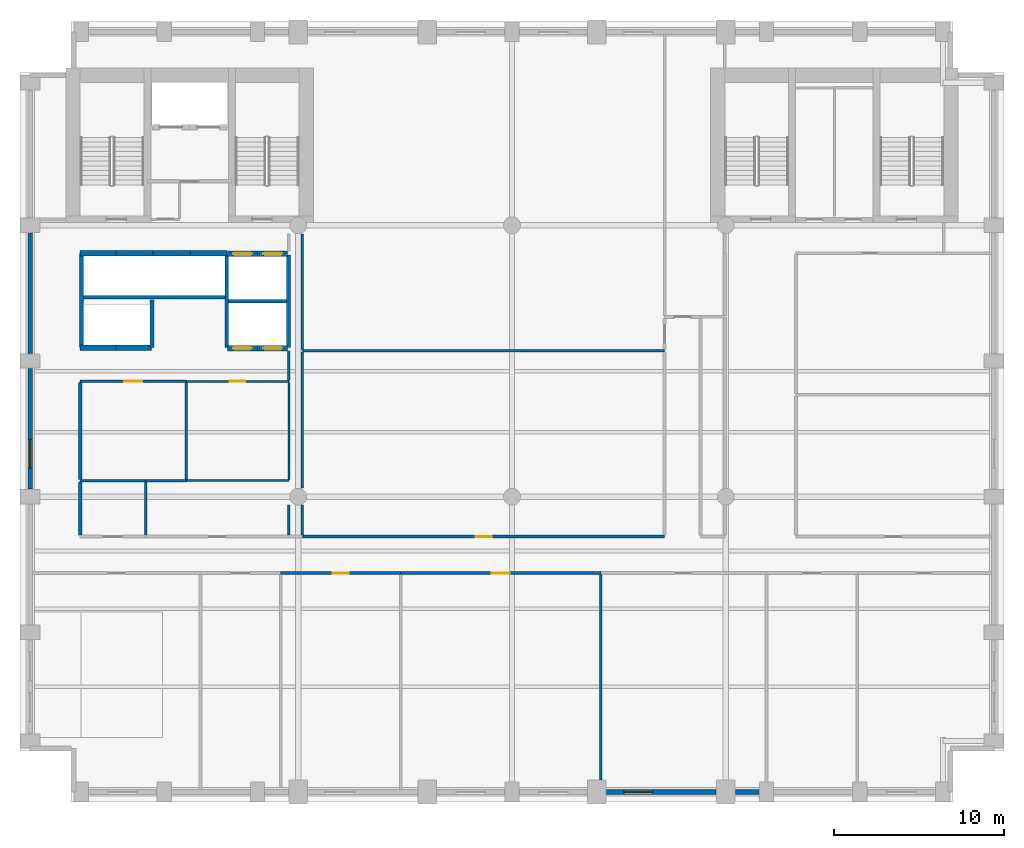
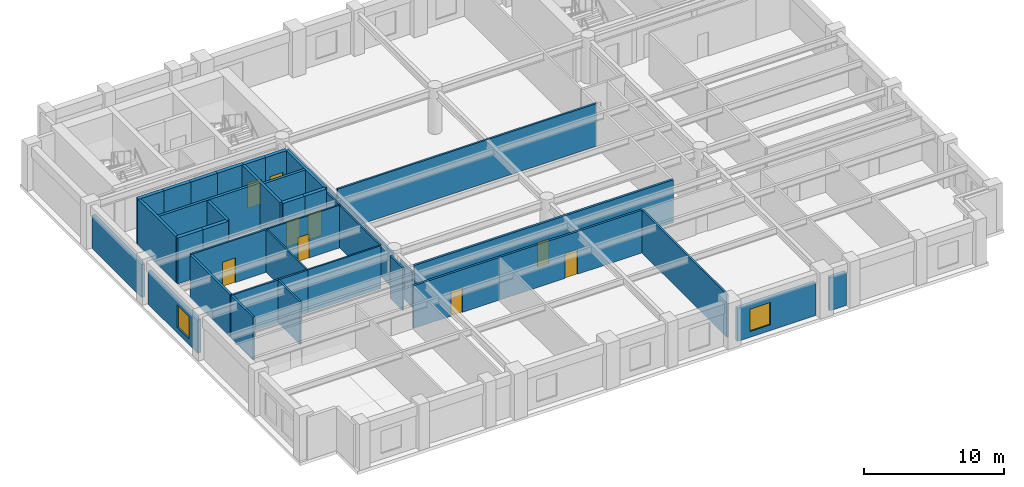
# One storey, part 3 of 9: 40 walls, 9 doors, 2 windows, 11 openings.
"""IFC4 building model written with IfcOpenShell, lengths in metres."""

from ifc_helpers import new_model, si_unit, direction, frame, frame_2d, origin, place, context, subcontext, project, spatial, rectangle, extrude, material, layer, layer_set, type_object, element, fill, save


model = new_model("IFC4")

# Units and contexts
model_context = context("Model", 3, precision=1e-05, world=origin(), true_north=direction((0.0, 1.0)))
body_context = subcontext(model_context, "Body", "Model", "MODEL_VIEW")
ifc_project = project(units=[si_unit("LENGTHUNIT", "METRE"), si_unit("AREAUNIT", "SQUARE_METRE"), si_unit("VOLUMEUNIT", "CUBIC_METRE"), si_unit("PLANEANGLEUNIT", "RADIAN"), si_unit("MASSUNIT", "GRAM", prefix="KILO")], contexts=[model_context])

# Site, building, storey
site_placement = place(None, origin())
site = spatial("IfcSite", under=ifc_project, at=site_placement, CompositionType="ELEMENT")
building_placement = place(site_placement, origin())
building = spatial("IfcBuilding", under=site, at=building_placement, Name="Sulina Concourse Tower", CompositionType="ELEMENT")
storey_placement = place(building_placement, frame((0.0, 0.0, 120.60009765625)))
storey = spatial("IfcBuildingStorey", under=building, at=storey_placement, Name="L29", CompositionType="ELEMENT", Elevation=120.60009765625)

# Walls
ifc_material_1 = material(Name="Concrete C50/60", Category="concrete")
ifc_layer_1 = layer(ifc_material_1, 0.219970703125)
ifc_layer_set_1 = layer_set([ifc_layer_1], Name="Concrete C50/60")
wall_type_1 = type_object("IfcWallType", Name="Core Lift Hoistway Divider Wall 220mm", PredefinedType="SOLIDWALL", material=ifc_layer_set_1)
wall_1_placement = place(storey_placement, frame((3.550048828125, 29.75, 0.0), z_axis=(0.0, 0.0, 1.0), x_axis=(1.0, 0.0, 0.0)))
element("IfcWall", 1, at=wall_1_placement, inside=storey, type_object=wall_type_1, Name="L29 shaft divider wall HW-LP3-S", PredefinedType="SOLIDWALL", context=body_context, shape_type="SweptSolid", body=[
    extrude(rectangle(XDim=8.64990234375, YDim=0.219970703125, at=frame_2d((4.324951171875, 0.0))), origin(), (0.0, 0.0, 1.0), 4.0),
])
wall_2_placement = place(storey_placement, frame((3.6298828125, 26.800048828125, 0.0), z_axis=(0.0, 0.0, 1.0), x_axis=(0.0, 1.0, 0.0)))
element("IfcWall", 2, at=wall_2_placement, inside=storey, type_object=wall_type_1, Name="L29 shaft divider wall HW-LP3-W", PredefinedType="SOLIDWALL", context=body_context, shape_type="SweptSolid", body=[
    extrude(rectangle(XDim=5.550048828125, YDim=0.219970703125, at=frame_2d((2.77490234375, 0.0))), origin(), (0.0, 0.0, 1.0), 4.0),
])
wall_3_placement = place(storey_placement, frame((7.780029296875, 26.800048828125, 0.0), z_axis=(0.0, 0.0, 1.0), x_axis=(0.0, 1.0, 0.0)))
element("IfcWall", 3, at=wall_3_placement, inside=storey, type_object=wall_type_1, Name="L29 shaft divider wall HW-EXP-E", PredefinedType="SOLIDWALL", context=body_context, shape_type="SweptSolid", body=[
    extrude(rectangle(XDim=2.800048828125, YDim=0.219970703125, at=frame_2d((1.39990234375, 0.0))), origin(), (0.0, 0.0, 1.0), 4.0),
])
for number, where, z_axis, x_axis, name in (
    (4, (12.179931640625, 26.800048828125, 0.0), (0.0, 0.0, 1.0), (0.0, 1.0, 0.0), "L29 shaft divider wall HW-LP2-W"),
    (5, (15.820068359375, 26.800048828125, 0.0), (0.0, 0.0, 1.0), (0.0, 1.0, 0.0), "L29 shaft divider wall HW-LP2-E"),
):
    element("IfcWall", number, at=place(storey_placement, frame(where, z_axis=z_axis, x_axis=x_axis)), inside=storey, type_object=wall_type_1, Name=name, PredefinedType="SOLIDWALL", context=body_context, shape_type="SweptSolid", body=[
        extrude(rectangle(XDim=5.449951171875, YDim=0.219970703125, at=frame_2d((2.72509765625, 0.0))), origin(), (0.0, 0.0, 1.0), 4.0),
    ])
wall_4_placement = place(storey_placement, frame((12.300048828125, 29.52001953125, 0.0), z_axis=(0.0, 0.0, 1.0), x_axis=(1.0, 0.0, 0.0)))
element("IfcWall", 6, at=wall_4_placement, inside=storey, type_object=wall_type_1, Name="L29 shaft divider wall HW-LP2-M", PredefinedType="SOLIDWALL", context=body_context, shape_type="SweptSolid", body=[
    extrude(rectangle(XDim=3.39990234375, YDim=0.219970703125, at=frame_2d((1.699951171875, 0.0))), origin(), (0.0, 0.0, 1.0), 4.0),
])

# Wall, opening, door
ifc_material_2 = material(Name="Concrete C50/60", Category="concrete")
ifc_layer_2 = layer(ifc_material_2, 0.300048828125)
ifc_layer_set_2 = layer_set([ifc_layer_2], Name="Concrete C50/60")
wall_type_2 = type_object("IfcWallType", Name="Core Lift Hoistway Wall 300mm", PredefinedType="SOLIDWALL", material=ifc_layer_set_2)
wall_5_placement = place(storey_placement, frame((14.0, 26.75, 0.0), z_axis=(0.0, 0.0, 1.0), x_axis=(-1.0, 0.0, 0.0)))
wall_5 = element("IfcWall", 7, at=wall_5_placement, inside=storey, type_object=wall_type_2, Name="L29 hoistway enclosure wall LP-05", PredefinedType="SOLIDWALL", context=body_context, shape_type="SweptSolid", body=[
    extrude(rectangle(XDim=1.780029296875, YDim=0.300048828125, at=frame_2d((0.89013671875, 0.0))), origin(), (0.0, 0.0, 1.0), 4.0),
])
opening_1_placement = place(wall_5_placement, frame((0.340087890625, 0.0, 0.0)))
opening_1 = element("IfcOpeningElement", 8, at=opening_1_placement, cuts=wall_5, Name="Opening LD-01", PredefinedType="OPENING", context=body_context, shape_type="SweptSolid", body=[
    extrude(rectangle(XDim=1.10009765625, YDim=2.199951171875, at=frame_2d((0.550048828125, 1.10009765625))), frame((0.0, 0.159912109375, 0.0), z_axis=(0.0, -1.0, 0.0), x_axis=(1.0, 0.0, 0.0)), (0.0, 0.0, 1.0), 0.320068359375),
])
ifc_material_3 = material(Name="Stainless steel lift landing door", Category="steel")
ifc_layer_3 = layer(ifc_material_3, 0.050048828125)
ifc_layer_set_3 = layer_set([ifc_layer_3], Name="Stainless steel lift landing door")
door_type_1 = type_object("IfcDoorType", Name="Passenger Lift Sliding Landing Door 1100x2200", OperationType="SLIDING_TO_LEFT", PredefinedType="DOOR", material=ifc_layer_set_3)
door_1_placement = place(opening_1_placement, origin())
door_1 = element("IfcDoor", 9, at=door_1_placement, inside=storey, type_object=door_type_1, Name="L29 lift landing sliding door LP-05", OperationType="SLIDING_TO_LEFT", OverallHeight=2.199951171875, OverallWidth=1.10009765625, PredefinedType="DOOR", context=body_context, shape_type="SweptSolid", body=[
    extrude(rectangle(XDim=1.10009765625, YDim=2.199951171875, at=frame_2d((0.550048828125, 1.10009765625))), frame((0.0, 0.02490234375, 0.0), z_axis=(0.0, -1.0, 0.0), x_axis=(1.0, 0.0, 0.0)), (0.0, 0.0, 1.0), 0.050048828125),
])
fill(opening_1, door_1)

wall_6_placement = place(storey_placement, frame((15.780029296875, 26.75, 0.0), z_axis=(0.0, 0.0, 1.0), x_axis=(-1.0, 0.0, 0.0)))
wall_6 = element("IfcWall", 10, at=wall_6_placement, inside=storey, type_object=wall_type_2, Name="L29 hoistway enclosure wall LP-06", PredefinedType="SOLIDWALL", context=body_context, shape_type="SweptSolid", body=[
    extrude(rectangle(XDim=1.780029296875, YDim=0.300048828125, at=frame_2d((0.89013671875, 0.0))), origin(), (0.0, 0.0, 1.0), 4.0),
])
opening_2_placement = place(wall_6_placement, frame((0.340087890625, 0.0, 0.0)))
opening_2 = element("IfcOpeningElement", 11, at=opening_2_placement, cuts=wall_6, Name="Opening LD-01", PredefinedType="OPENING", context=body_context, shape_type="SweptSolid", body=[
    extrude(rectangle(XDim=1.10009765625, YDim=2.199951171875, at=frame_2d((0.550048828125, 1.10009765625))), frame((0.0, 0.159912109375, 0.0), z_axis=(0.0, -1.0, 0.0), x_axis=(1.0, 0.0, 0.0)), (0.0, 0.0, 1.0), 0.320068359375),
])
door_2_placement = place(opening_2_placement, origin())
door_2 = element("IfcDoor", 12, at=door_2_placement, inside=storey, type_object=door_type_1, Name="L29 lift landing sliding door LP-06", OperationType="SLIDING_TO_RIGHT", OverallHeight=2.199951171875, OverallWidth=1.10009765625, PredefinedType="DOOR", context=body_context, shape_type="SweptSolid", body=[
    extrude(rectangle(XDim=1.10009765625, YDim=2.199951171875, at=frame_2d((0.550048828125, 1.10009765625))), frame((0.0, 0.02490234375, 0.0), z_axis=(0.0, -1.0, 0.0), x_axis=(1.0, 0.0, 0.0)), (0.0, 0.0, 1.0), 0.050048828125),
])
fill(opening_2, door_2)

wall_7_placement = place(storey_placement, frame((12.219970703125, 32.320068359375, 0.0), z_axis=(0.0, 0.0, 1.0), x_axis=(1.0, 0.0, 0.0)))
wall_7 = element("IfcWall", 13, at=wall_7_placement, inside=storey, type_object=wall_type_2, Name="L29 hoistway enclosure wall LP-07", PredefinedType="SOLIDWALL", context=body_context, shape_type="SweptSolid", body=[
    extrude(rectangle(XDim=1.780029296875, YDim=0.300048828125, at=frame_2d((0.89013671875, 0.0))), origin(), (0.0, 0.0, 1.0), 4.0),
])
opening_3_placement = place(wall_7_placement, frame((0.340087890625, 0.0, 0.0)))
opening_3 = element("IfcOpeningElement", 14, at=opening_3_placement, cuts=wall_7, Name="Opening LD-01", PredefinedType="OPENING", context=body_context, shape_type="SweptSolid", body=[
    extrude(rectangle(XDim=1.10009765625, YDim=2.199951171875, at=frame_2d((0.550048828125, 1.10009765625))), frame((0.0, 0.159912109375, 0.0), z_axis=(0.0, -1.0, 0.0), x_axis=(1.0, 0.0, 0.0)), (0.0, 0.0, 1.0), 0.320068359375),
])
door_3_placement = place(opening_3_placement, origin())
door_3 = element("IfcDoor", 15, at=door_3_placement, inside=storey, type_object=door_type_1, Name="L29 lift landing sliding door LP-07", OperationType="SLIDING_TO_LEFT", OverallHeight=2.199951171875, OverallWidth=1.10009765625, PredefinedType="DOOR", context=body_context, shape_type="SweptSolid", body=[
    extrude(rectangle(XDim=1.10009765625, YDim=2.199951171875, at=frame_2d((0.550048828125, 1.10009765625))), frame((0.0, 0.02490234375, 0.0), z_axis=(0.0, -1.0, 0.0), x_axis=(1.0, 0.0, 0.0)), (0.0, 0.0, 1.0), 0.050048828125),
])
fill(opening_3, door_3)

wall_8_placement = place(storey_placement, frame((14.0, 32.320068359375, 0.0), z_axis=(0.0, 0.0, 1.0), x_axis=(1.0, 0.0, 0.0)))
wall_8 = element("IfcWall", 16, at=wall_8_placement, inside=storey, type_object=wall_type_2, Name="L29 hoistway enclosure wall LP-08", PredefinedType="SOLIDWALL", context=body_context, shape_type="SweptSolid", body=[
    extrude(rectangle(XDim=1.780029296875, YDim=0.300048828125, at=frame_2d((0.89013671875, 0.0))), origin(), (0.0, 0.0, 1.0), 4.0),
])
opening_4_placement = place(wall_8_placement, frame((0.340087890625, 0.0, 0.0)))
opening_4 = element("IfcOpeningElement", 17, at=opening_4_placement, cuts=wall_8, Name="Opening LD-01", PredefinedType="OPENING", context=body_context, shape_type="SweptSolid", body=[
    extrude(rectangle(XDim=1.10009765625, YDim=2.199951171875, at=frame_2d((0.550048828125, 1.10009765625))), frame((0.0, 0.159912109375, 0.0), z_axis=(0.0, -1.0, 0.0), x_axis=(1.0, 0.0, 0.0)), (0.0, 0.0, 1.0), 0.320068359375),
])
door_4_placement = place(opening_4_placement, origin())
door_4 = element("IfcDoor", 18, at=door_4_placement, inside=storey, type_object=door_type_1, Name="L29 lift landing sliding door LP-08", OperationType="SLIDING_TO_RIGHT", OverallHeight=2.199951171875, OverallWidth=1.10009765625, PredefinedType="DOOR", context=body_context, shape_type="SweptSolid", body=[
    extrude(rectangle(XDim=1.10009765625, YDim=2.199951171875, at=frame_2d((0.550048828125, 1.10009765625))), frame((0.0, 0.02490234375, 0.0), z_axis=(0.0, -1.0, 0.0), x_axis=(1.0, 0.0, 0.0)), (0.0, 0.0, 1.0), 0.050048828125),
])
fill(opening_4, door_4)

# Walls
wall_9_placement = place(storey_placement, frame((3.550048828125, 32.35009765625, 0.0), z_axis=(0.0, 0.0, 1.0), x_axis=(1.0, 0.0, 0.0)))
element("IfcWall", 19, at=wall_9_placement, inside=storey, type_object=wall_type_2, Name="L29 hoistway enclosure wall LP-09", PredefinedType="SOLIDWALL", context=body_context, shape_type="SweptSolid", body=[
    extrude(rectangle(XDim=2.099853515625, YDim=0.300048828125, at=frame_2d((1.0498046875, 0.0))), origin(), (0.0, 0.0, 1.0), 4.0),
])
wall_10_placement = place(storey_placement, frame((5.64990234375, 32.35009765625, 0.0), z_axis=(0.0, 0.0, 1.0), x_axis=(1.0, 0.0, 0.0)))
element("IfcWall", 20, at=wall_10_placement, inside=storey, type_object=wall_type_2, Name="L29 hoistway enclosure wall LP-10", PredefinedType="SOLIDWALL", context=body_context, shape_type="SweptSolid", body=[
    extrude(rectangle(XDim=2.2001953125, YDim=0.300048828125, at=frame_2d((1.10009765625, 0.0))), origin(), (0.0, 0.0, 1.0), 4.0),
])
wall_11_placement = place(storey_placement, frame((7.85009765625, 32.35009765625, 0.0), z_axis=(0.0, 0.0, 1.0), x_axis=(1.0, 0.0, 0.0)))
element("IfcWall", 21, at=wall_11_placement, inside=storey, type_object=wall_type_2, Name="L29 hoistway enclosure wall LP-11", PredefinedType="SOLIDWALL", context=body_context, shape_type="SweptSolid", body=[
    extrude(rectangle(XDim=2.199951171875, YDim=0.300048828125, at=frame_2d((1.10009765625, 0.0))), origin(), (0.0, 0.0, 1.0), 4.0),
])
wall_12_placement = place(storey_placement, frame((10.050048828125, 32.35009765625, 0.0), z_axis=(0.0, 0.0, 1.0), x_axis=(1.0, 0.0, 0.0)))
element("IfcWall", 22, at=wall_12_placement, inside=storey, type_object=wall_type_2, Name="L29 hoistway enclosure wall LP-12", PredefinedType="SOLIDWALL", context=body_context, shape_type="SweptSolid", body=[
    extrude(rectangle(XDim=2.14990234375, YDim=0.300048828125, at=frame_2d((1.074951171875, 0.0))), origin(), (0.0, 0.0, 1.0), 4.0),
])
wall_13_placement = place(storey_placement, frame((5.64990234375, 26.780029296875, 0.0), z_axis=(0.0, 0.0, 1.0), x_axis=(-1.0, 0.0, 0.0)))
element("IfcWall", 23, at=wall_13_placement, inside=storey, type_object=wall_type_2, Name="L29 hoistway enclosure wall EXP-1", PredefinedType="SOLIDWALL", context=body_context, shape_type="SweptSolid", body=[
    extrude(rectangle(XDim=2.099853515625, YDim=0.300048828125, at=frame_2d((1.0498046875, 0.0))), origin(), (0.0, 0.0, 1.0), 4.0),
])
wall_14_placement = place(storey_placement, frame((7.75, 26.780029296875, 0.0), z_axis=(0.0, 0.0, 1.0), x_axis=(-1.0, 0.0, 0.0)))
element("IfcWall", 24, at=wall_14_placement, inside=storey, type_object=wall_type_2, Name="L29 hoistway enclosure wall EXP-2", PredefinedType="SOLIDWALL", context=body_context, shape_type="SweptSolid", body=[
    extrude(rectangle(XDim=2.10009765625, YDim=0.300048828125, at=frame_2d((1.050048828125, 0.0))), origin(), (0.0, 0.0, 1.0), 4.0),
])
ifc_material_4 = material(Name="Gypsum board on steel stud", Category="steel")
ifc_layer_4 = layer(ifc_material_4, 0.14990234375)
ifc_layer_set_4 = layer_set([ifc_layer_4], Name="Gypsum board on steel stud")
wall_type_3 = type_object("IfcWallType", Name="Inter-Tenancy Acoustic Partition 150mm", PredefinedType="PARTITIONING", material=ifc_layer_set_4)
wall_15_placement = place(storey_placement, frame((3.550048828125, 18.949951171875, 0.0), z_axis=(0.0, 0.0, 1.0), x_axis=(1.0, 0.0, 0.0)))
element("IfcWall", 25, at=wall_15_placement, inside=storey, type_object=wall_type_3, Name="L29 interior partition 014", PredefinedType="PARTITIONING", context=body_context, shape_type="SweptSolid", body=[
    extrude(rectangle(XDim=3.849853515625, YDim=0.14990234375, at=frame_2d((1.9248046875, 0.0))), origin(), (0.0, 0.0, 1.0), 3.724853515625),
])
wall_16_placement = place(storey_placement, frame((7.39990234375, 18.949951171875, 0.0), z_axis=(0.0, 0.0, 1.0), x_axis=(1.0, 0.0, 0.0)))
element("IfcWall", 26, at=wall_16_placement, inside=storey, type_object=wall_type_3, Name="L29 interior partition 015", PredefinedType="PARTITIONING", context=body_context, shape_type="SweptSolid", body=[
    extrude(rectangle(XDim=2.400146484375, YDim=0.14990234375, at=frame_2d((1.2001953125, 0.0))), origin(), (0.0, 0.0, 1.0), 3.724853515625),
])

# Wall, opening, door
wall_17_placement = place(storey_placement, frame((3.550048828125, 24.800048828125, 0.0), z_axis=(0.0, 0.0, 1.0), x_axis=(1.0, 0.0, 0.0)))
wall_17 = element("IfcWall", 27, at=wall_17_placement, inside=storey, type_object=wall_type_3, Name="L29 interior partition 018", PredefinedType="PARTITIONING", context=body_context, shape_type="SweptSolid", body=[
    extrude(rectangle(XDim=6.25, YDim=0.14990234375, at=frame_2d((3.125, 0.0))), origin(), (0.0, 0.0, 1.0), 3.724853515625),
])
opening_5_placement = place(wall_17_placement, frame((2.60009765625, 0.0, 0.0)))
opening_5 = element("IfcOpeningElement", 28, at=opening_5_placement, cuts=wall_17, Name="Opening DR-37", PredefinedType="OPENING", context=body_context, shape_type="SweptSolid", body=[
    extrude(rectangle(XDim=1.050048828125, YDim=2.14990234375, at=frame_2d((0.52490234375, 1.074951171875))), frame((0.0, 0.0849609375, 0.0), z_axis=(0.0, -1.0, 0.0), x_axis=(1.0, 0.0, 0.0)), (0.0, 0.0, 1.0), 0.169921875),
])
ifc_material_5 = material(Name="Oak-veneered fire door leaf")
ifc_layer_5 = layer(ifc_material_5, 0.050048828125)
ifc_layer_set_5 = layer_set([ifc_layer_5], Name="Oak-veneered fire door leaf")
door_type_2 = type_object("IfcDoorType", Name="Tenant Suite Entrance Fire Door 1050x2150", OperationType="NOTDEFINED", PredefinedType="DOOR", material=ifc_layer_set_5)
door_5_placement = place(opening_5_placement, origin())
door_5 = element("IfcDoor", 29, at=door_5_placement, inside=storey, type_object=door_type_2, Name="L29 interior door L29-LR-MRG1", OperationType="SINGLE_SWING_RIGHT", OverallHeight=2.14990234375, OverallWidth=1.050048828125, PredefinedType="DOOR", context=body_context, shape_type="SweptSolid", body=[
    extrude(rectangle(XDim=1.050048828125, YDim=2.14990234375, at=frame_2d((0.52490234375, 1.074951171875))), frame((0.0, 0.02490234375, 0.0), z_axis=(0.0, -1.0, 0.0), x_axis=(1.0, 0.0, 0.0)), (0.0, 0.0, 1.0), 0.050048828125),
])
fill(opening_5, door_5)

# Walls
wall_18_placement = place(storey_placement, frame((16.64990234375, 26.60009765625, 0.0), z_axis=(0.0, 0.0, 1.0), x_axis=(1.0, 0.0, 0.0)))
element("IfcWall", 30, at=wall_18_placement, inside=storey, type_object=wall_type_3, Name="L29 interior partition 020", PredefinedType="PARTITIONING", context=body_context, shape_type="SweptSolid", body=[
    extrude(rectangle(XDim=21.35009765625, YDim=0.14990234375, at=frame_2d((10.675048828125, 0.0))), origin(), (0.0, 0.0, 1.0), 3.724853515625),
])
wall_19_placement = place(storey_placement, frame((7.39990234375, 15.739990234375, 0.0), z_axis=(0.0, 0.0, 1.0), x_axis=(0.0, 1.0, 0.0)))
element("IfcWall", 31, at=wall_19_placement, inside=storey, type_object=wall_type_3, Name="L29 interior partition 031", PredefinedType="PARTITIONING", context=body_context, shape_type="SweptSolid", body=[
    extrude(rectangle(XDim=3.135009765625, YDim=0.14990234375, at=frame_2d((1.5673828125, 0.0))), origin(), (0.0, 0.0, 1.0), 3.724853515625),
])
wall_20_placement = place(storey_placement, frame((15.85009765625, 15.739990234375, 0.0), z_axis=(0.0, 0.0, 1.0), x_axis=(0.0, 1.0, 0.0)))
element("IfcWall", 32, at=wall_20_placement, inside=storey, type_object=wall_type_3, Name="L29 interior partition 036", PredefinedType="PARTITIONING", context=body_context, shape_type="SweptSolid", body=[
    extrude(rectangle(XDim=1.760009765625, YDim=0.14990234375, at=frame_2d((0.8798828125, 0.0))), origin(), (0.0, 0.0, 1.0), 3.724853515625),
])
wall_21_placement = place(storey_placement, frame((15.85009765625, 24.862548828125, 0.0), z_axis=(0.0, 0.0, 1.0), x_axis=(0.0, 1.0, 0.0)))
element("IfcWall", 33, at=wall_21_placement, inside=storey, type_object=wall_type_3, Name="L29 interior partition 038", PredefinedType="PARTITIONING", context=body_context, shape_type="SweptSolid", body=[
    extrude(rectangle(XDim=1.737548828125, YDim=0.14990234375, at=frame_2d((0.86865234375, 0.0))), origin(), (0.0, 0.0, 1.0), 3.724853515625),
])
wall_22_placement = place(storey_placement, frame((16.64990234375, 15.739990234375, 0.0), z_axis=(0.0, 0.0, 1.0), x_axis=(0.0, 1.0, 0.0)))
element("IfcWall", 34, at=wall_22_placement, inside=storey, type_object=wall_type_3, Name="L29 interior partition 040", PredefinedType="PARTITIONING", context=body_context, shape_type="SweptSolid", body=[
    extrude(rectangle(XDim=1.760009765625, YDim=0.14990234375, at=frame_2d((0.8798828125, 0.0))), origin(), (0.0, 0.0, 1.0), 3.06982421875),
])
wall_23_placement = place(storey_placement, frame((16.64990234375, 18.5, 0.0), z_axis=(0.0, 0.0, 1.0), x_axis=(0.0, 1.0, 0.0)))
element("IfcWall", 35, at=wall_23_placement, inside=storey, type_object=wall_type_3, Name="L29 interior partition 041", PredefinedType="PARTITIONING", context=body_context, shape_type="SweptSolid", body=[
    extrude(rectangle(XDim=8.02490234375, YDim=0.14990234375, at=frame_2d((4.012451171875, 0.0))), origin(), (0.0, 0.0, 1.0), 3.06982421875),
])
wall_24_placement = place(storey_placement, frame((16.64990234375, 26.675048828125, 0.0), z_axis=(0.0, 0.0, 1.0), x_axis=(0.0, 1.0, 0.0)))
element("IfcWall", 36, at=wall_24_placement, inside=storey, type_object=wall_type_3, Name="L29 interior partition 042", PredefinedType="PARTITIONING", context=body_context, shape_type="SweptSolid", body=[
    extrude(rectangle(XDim=6.824951171875, YDim=0.14990234375, at=frame_2d((3.41259765625, 0.0))), origin(), (0.0, 0.0, 1.0), 3.06982421875),
])
wall_25_placement = place(storey_placement, frame((34.239990234375, 1.300048828125, 0.0), z_axis=(0.0, 0.0, 1.0), x_axis=(0.0, 1.0, 0.0)))
element("IfcWall", 37, at=wall_25_placement, inside=storey, type_object=wall_type_3, Name="L29 interior partition 044", PredefinedType="PARTITIONING", context=body_context, shape_type="SweptSolid", body=[
    extrude(rectangle(XDim=12.10986328125, YDim=0.14990234375, at=frame_2d((6.054931640625, 0.0))), origin(), (0.0, 0.0, 1.0), 3.724853515625),
])

# Wall, opening, door
ifc_material_6 = material(Name="Gypsum board on steel stud", Category="steel")
ifc_layer_6 = layer(ifc_material_6, 0.179931640625)
ifc_layer_set_6 = layer_set([ifc_layer_6], Name="Gypsum board on steel stud")
wall_type_4 = type_object("IfcWallType", Name="Protected Corridor & Riser Partition 180mm", PredefinedType="PARTITIONING", material=ifc_layer_set_6)
wall_26_placement = place(storey_placement, frame((15.360107421875, 13.5, 0.0), z_axis=(0.0, 0.0, 1.0), x_axis=(1.0, 0.0, 0.0)))
wall_26 = element("IfcWall", 38, at=wall_26_placement, inside=storey, type_object=wall_type_4, Name="L29 interior partition 003", PredefinedType="PARTITIONING", context=body_context, shape_type="SweptSolid", body=[
    extrude(rectangle(XDim=7.079833984375, YDim=0.179931640625, at=frame_2d((3.5400390625, 0.0))), origin(), (0.0, 0.0, 1.0), 3.724853515625),
])
opening_6_placement = place(wall_26_placement, frame((3.06494140625, 0.0, 0.0)))
opening_6 = element("IfcOpeningElement", 39, at=opening_6_placement, cuts=wall_26, Name="Opening DR-19", PredefinedType="OPENING", context=body_context, shape_type="SweptSolid", body=[
    extrude(rectangle(XDim=0.949951171875, YDim=2.14990234375, at=frame_2d((0.47509765625, 1.074951171875))), frame((0.0, 0.099853515625, 0.0), z_axis=(0.0, -1.0, 0.0), x_axis=(1.0, 0.0, 0.0)), (0.0, 0.0, 1.0), 0.199951171875),
])
ifc_material_7 = material(Name="Oak-veneered acoustic timber leaf", Category="wood")
ifc_layer_7 = layer(ifc_material_7, 0.050048828125)
ifc_layer_set_7 = layer_set([ifc_layer_7], Name="Oak-veneered acoustic timber leaf")
door_type_3 = type_object("IfcDoorType", Name="Cellular Office & Meeting Door 950x2150", OperationType="NOTDEFINED", PredefinedType="DOOR", material=ifc_layer_set_7)
door_6_placement = place(opening_6_placement, origin())
door_6 = element("IfcDoor", 40, at=door_6_placement, inside=storey, type_object=door_type_3, Name="L29 interior door L29-S02B", OperationType="SINGLE_SWING_LEFT", OverallHeight=2.14990234375, OverallWidth=0.949951171875, PredefinedType="DOOR", context=body_context, shape_type="SweptSolid", body=[
    extrude(rectangle(XDim=0.949951171875, YDim=2.14990234375, at=frame_2d((0.47509765625, 1.074951171875))), frame((0.0, 0.02490234375, 0.0), z_axis=(0.0, -1.0, 0.0), x_axis=(1.0, 0.0, 0.0)), (0.0, 0.0, 1.0), 0.050048828125),
])
fill(opening_6, door_6)

wall_27_placement = place(storey_placement, frame((22.43994140625, 13.5, 0.0), z_axis=(0.0, 0.0, 1.0), x_axis=(1.0, 0.0, 0.0)))
wall_27 = element("IfcWall", 41, at=wall_27_placement, inside=storey, type_object=wall_type_4, Name="L29 interior partition 004", PredefinedType="PARTITIONING", context=body_context, shape_type="SweptSolid", body=[
    extrude(rectangle(XDim=11.800048828125, YDim=0.179931640625, at=frame_2d((5.89990234375, 0.0))), origin(), (0.0, 0.0, 1.0), 3.724853515625),
])
opening_7_placement = place(wall_27_placement, frame((5.375, 0.0, 0.0)))
opening_7 = element("IfcOpeningElement", 42, at=opening_7_placement, cuts=wall_27, Name="Opening DR-37", PredefinedType="OPENING", context=body_context, shape_type="SweptSolid", body=[
    extrude(rectangle(XDim=1.050048828125, YDim=2.14990234375, at=frame_2d((0.52490234375, 1.074951171875))), frame((0.0, 0.099853515625, 0.0), z_axis=(0.0, -1.0, 0.0), x_axis=(1.0, 0.0, 0.0)), (0.0, 0.0, 1.0), 0.199951171875),
])
door_7_placement = place(opening_7_placement, origin())
door_7 = element("IfcDoor", 43, at=door_7_placement, inside=storey, type_object=door_type_2, Name="L29 interior door L29-S03", OperationType="SINGLE_SWING_RIGHT", OverallHeight=2.14990234375, OverallWidth=1.050048828125, PredefinedType="DOOR", context=body_context, shape_type="SweptSolid", body=[
    extrude(rectangle(XDim=1.050048828125, YDim=2.14990234375, at=frame_2d((0.52490234375, 1.074951171875))), frame((0.0, 0.02490234375, 0.0), z_axis=(0.0, -1.0, 0.0), x_axis=(1.0, 0.0, 0.0)), (0.0, 0.0, 1.0), 0.050048828125),
])
fill(opening_7, door_7)

wall_28_placement = place(storey_placement, frame((16.64990234375, 15.64990234375, 0.0), z_axis=(0.0, 0.0, 1.0), x_axis=(1.0, 0.0, 0.0)))
wall_28 = element("IfcWall", 44, at=wall_28_placement, inside=storey, type_object=wall_type_4, Name="L29 interior partition 011", PredefinedType="PARTITIONING", context=body_context, shape_type="SweptSolid", body=[
    extrude(rectangle(XDim=21.35009765625, YDim=0.179931640625, at=frame_2d((10.675048828125, 0.0))), origin(), (0.0, 0.0, 1.0), 3.724853515625),
])
opening_8_placement = place(wall_28_placement, frame((10.199951171875, 0.0, 0.0)))
opening_8 = element("IfcOpeningElement", 45, at=opening_8_placement, cuts=wall_28, Name="Opening DR-19", PredefinedType="OPENING", context=body_context, shape_type="SweptSolid", body=[
    extrude(rectangle(XDim=0.949951171875, YDim=2.14990234375, at=frame_2d((0.47509765625, 1.074951171875))), frame((0.0, 0.099853515625, 0.0), z_axis=(0.0, -1.0, 0.0), x_axis=(1.0, 0.0, 0.0)), (0.0, 0.0, 1.0), 0.199951171875),
])
door_8_placement = place(opening_8_placement, origin())
door_8 = element("IfcDoor", 46, at=door_8_placement, inside=storey, type_object=door_type_3, Name="L29 interior door L29-NC1", OperationType="SINGLE_SWING_RIGHT", OverallHeight=2.14990234375, OverallWidth=0.949951171875, PredefinedType="DOOR", context=body_context, shape_type="SweptSolid", body=[
    extrude(rectangle(XDim=0.949951171875, YDim=2.14990234375, at=frame_2d((0.47509765625, 1.074951171875))), frame((0.0, 0.02490234375, 0.0), z_axis=(0.0, -1.0, 0.0), x_axis=(1.0, 0.0, 0.0)), (0.0, 0.0, 1.0), 0.050048828125),
])
fill(opening_8, door_8)

# Walls
wall_29_placement = place(storey_placement, frame((3.550048828125, 15.739990234375, 0.0), z_axis=(0.0, 0.0, 1.0), x_axis=(0.0, 1.0, 0.0)))
element("IfcWall", 47, at=wall_29_placement, inside=storey, type_object=wall_type_4, Name="L29 interior partition 029", PredefinedType="PARTITIONING", context=body_context, shape_type="SweptSolid", body=[
    extrude(rectangle(XDim=3.135009765625, YDim=0.179931640625, at=frame_2d((1.5673828125, 0.0))), origin(), (0.0, 0.0, 1.0), 3.724853515625),
])
wall_30_placement = place(storey_placement, frame((3.550048828125, 19.02490234375, 0.0), z_axis=(0.0, 0.0, 1.0), x_axis=(0.0, 1.0, 0.0)))
element("IfcWall", 48, at=wall_30_placement, inside=storey, type_object=wall_type_4, Name="L29 interior partition 030", PredefinedType="PARTITIONING", context=body_context, shape_type="SweptSolid", body=[
    extrude(rectangle(XDim=5.7001953125, YDim=0.179931640625, at=frame_2d((2.85009765625, 0.0))), origin(), (0.0, 0.0, 1.0), 3.724853515625),
])

# Wall, opening, window
ifc_material_8 = material(Name="Precast concrete C50/60", Category="concrete")
ifc_layer_8 = layer(ifc_material_8, 0.280029296875)
ifc_layer_set_8 = layer_set([ifc_layer_8], Name="Precast concrete C50/60")
wall_type_5 = type_object("IfcWallType", Name="Typical Precast Masonry-Frame Facade Wall 280mm", PredefinedType="SOLIDWALL", material=ifc_layer_set_8)
wall_31_placement = place(storey_placement, frame((41.030029296875, 0.60009765625, 0.0), z_axis=(0.0, 0.0, 1.0), x_axis=(-1.0, 0.0, 0.0)))
wall_31 = element("IfcWall", 49, at=wall_31_placement, inside=storey, type_object=wall_type_5, Name="L29 exterior precast wall S7", PredefinedType="SOLIDWALL", context=body_context, shape_type="SweptSolid", body=[
    extrude(rectangle(XDim=6.4599609375, YDim=0.280029296875, at=frame_2d((3.22998046875, 0.0))), origin(), (0.0, 0.0, 1.0), 2.875),
])
opening_9_placement = place(wall_31_placement, frame((3.739990234375, 0.0, 0.5)))
opening_9 = element("IfcOpeningElement", 50, at=opening_9_placement, cuts=wall_31, Name="Opening WN-66", PredefinedType="OPENING", context=body_context, shape_type="SweptSolid", body=[
    extrude(rectangle(XDim=1.699951171875, YDim=1.949951171875, at=frame_2d((0.85009765625, 0.97509765625))), frame((0.0, 0.14990234375, 0.0), z_axis=(0.0, -1.0, 0.0), x_axis=(1.0, 0.0, 0.0)), (0.0, 0.0, 1.0), 0.300048828125),
])
ifc_material_9 = material(Name="Low-E solar double glazing in bronze aluminium", Category="aluminium")
window_type = type_object("IfcWindowType", Name="Recessed Spandrel Window 1700x1950", PartitioningType="SINGLE_PANEL", PredefinedType="WINDOW", material=ifc_material_9)
window_1_placement = place(opening_9_placement, origin())
window_1 = element("IfcWindow", 51, at=window_1_placement, inside=storey, type_object=window_type, Name="L29 punched window S7-1", OverallHeight=1.949951171875, OverallWidth=1.699951171875, PartitioningType="SINGLE_PANEL", PredefinedType="WINDOW", context=body_context, shape_type="SweptSolid", body=[
    extrude(rectangle(XDim=1.699951171875, YDim=1.949951171875, at=frame_2d((0.85009765625, 0.97509765625))), frame((0.0, 0.030029296875, 0.0), z_axis=(0.0, -1.0, 0.0), x_axis=(1.0, 0.0, 0.0)), (0.0, 0.0, 1.0), 0.06005859375),
])
fill(opening_9, window_1)

# Wall
wall_32_placement = place(storey_placement, frame((43.554931640625, 0.60009765625, 0.0), z_axis=(0.0, 0.0, 1.0), x_axis=(-1.0, 0.0, 0.0)))
element("IfcWall", 52, at=wall_32_placement, inside=storey, type_object=wall_type_5, Name="L29 exterior precast wall S8", PredefinedType="SOLIDWALL", context=body_context, shape_type="SweptSolid", body=[
    extrude(rectangle(XDim=1.385009765625, YDim=0.280029296875, at=frame_2d((0.6923828125, 0.0))), origin(), (0.0, 0.0, 1.0), 2.875),
])

# Wall, opening, window
wall_33_placement = place(storey_placement, frame((0.60009765625, 18.445068359375, 0.0), z_axis=(0.0, 0.0, 1.0), x_axis=(0.0, 1.0, 0.0)))
wall_33 = element("IfcWall", 53, at=wall_33_placement, inside=storey, type_object=wall_type_5, Name="L29 exterior precast wall W3", PredefinedType="SOLIDWALL", context=body_context, shape_type="SweptSolid", body=[
    extrude(rectangle(XDim=7.10986328125, YDim=0.280029296875, at=frame_2d((3.554931640625, 0.0))), origin(), (0.0, 0.0, 1.0), 2.875),
])
opening_10_placement = place(wall_33_placement, frame((1.23681640625, 0.0, 0.5)))
opening_10 = element("IfcOpeningElement", 54, at=opening_10_placement, cuts=wall_33, Name="Opening WN-66", PredefinedType="OPENING", context=body_context, shape_type="SweptSolid", body=[
    extrude(rectangle(XDim=1.699951171875, YDim=1.949951171875, at=frame_2d((0.85009765625, 0.97509765625))), frame((0.0, 0.14990234375, 0.0), z_axis=(0.0, -1.0, 0.0), x_axis=(1.0, 0.0, 0.0)), (0.0, 0.0, 1.0), 0.300048828125),
])
window_2_placement = place(opening_10_placement, origin())
window_2 = element("IfcWindow", 55, at=window_2_placement, inside=storey, type_object=window_type, Name="L29 punched window W3-1", OverallHeight=1.949951171875, OverallWidth=1.699951171875, PartitioningType="SINGLE_PANEL", PredefinedType="WINDOW", context=body_context, shape_type="SweptSolid", body=[
    extrude(rectangle(XDim=1.699951171875, YDim=1.949951171875, at=frame_2d((0.85009765625, 0.97509765625))), frame((0.0, 0.030029296875, 0.0), z_axis=(0.0, -1.0, 0.0), x_axis=(1.0, 0.0, 0.0)), (0.0, 0.0, 1.0), 0.06005859375),
])
fill(opening_10, window_2)

# Walls
wall_34_placement = place(storey_placement, frame((0.60009765625, 26.445068359375, 0.0), z_axis=(0.0, 0.0, 1.0), x_axis=(0.0, 1.0, 0.0)))
element("IfcWall", 56, at=wall_34_placement, inside=storey, type_object=wall_type_5, Name="L29 exterior precast wall W4", PredefinedType="SOLIDWALL", context=body_context, shape_type="SweptSolid", body=[
    extrude(rectangle(XDim=7.10986328125, YDim=0.280029296875, at=frame_2d((3.554931640625, 0.0))), origin(), (0.0, 0.0, 1.0), 2.875),
])
ifc_material_10 = material(Name="Gypsum board on steel stud", Category="steel")
ifc_layer_9 = layer(ifc_material_10, 0.125)
ifc_layer_set_9 = layer_set([ifc_layer_9], Name="Gypsum board on steel stud")
wall_type_6 = type_object("IfcWallType", Name="Wet-Area Moisture-Resistant Partition 125mm", PredefinedType="PARTITIONING", material=ifc_layer_set_9)
wall_35_placement = place(storey_placement, frame((9.800048828125, 18.949951171875, 0.0), z_axis=(0.0, 0.0, 1.0), x_axis=(1.0, 0.0, 0.0)))
element("IfcWall", 57, at=wall_35_placement, inside=storey, type_object=wall_type_6, Name="L29 interior partition 016", PredefinedType="PARTITIONING", context=body_context, shape_type="SweptSolid", body=[
    extrude(rectangle(XDim=6.050048828125, YDim=0.125, at=frame_2d((3.02490234375, 0.0))), origin(), (0.0, 0.0, 1.0), 3.724853515625),
])

# Wall, opening, door
wall_36_placement = place(storey_placement, frame((9.800048828125, 24.800048828125, 0.0), z_axis=(0.0, 0.0, 1.0), x_axis=(1.0, 0.0, 0.0)))
wall_36 = element("IfcWall", 58, at=wall_36_placement, inside=storey, type_object=wall_type_6, Name="L29 interior partition 019", PredefinedType="PARTITIONING", context=body_context, shape_type="SweptSolid", body=[
    extrude(rectangle(XDim=6.050048828125, YDim=0.125, at=frame_2d((3.02490234375, 0.0))), origin(), (0.0, 0.0, 1.0), 3.724853515625),
])
opening_11_placement = place(wall_36_placement, frame((2.574951171875, 0.0, 0.0)))
opening_11 = element("IfcOpeningElement", 59, at=opening_11_placement, cuts=wall_36, Name="Opening DR-21", PredefinedType="OPENING", context=body_context, shape_type="SweptSolid", body=[
    extrude(rectangle(XDim=0.89990234375, YDim=2.10009765625, at=frame_2d((0.449951171875, 1.050048828125))), frame((0.0, 0.072509765625, 0.0), z_axis=(0.0, -1.0, 0.0), x_axis=(1.0, 0.0, 0.0)), (0.0, 0.0, 1.0), 0.14501953125),
])
ifc_material_11 = material(Name="Oak-veneered fire door leaf")
ifc_layer_10 = layer(ifc_material_11, 0.050048828125)
ifc_layer_set_10 = layer_set([ifc_layer_10], Name="Oak-veneered fire door leaf")
door_type_4 = type_object("IfcDoorType", Name="Restroom & Service Door 900x2100", OperationType="NOTDEFINED", PredefinedType="DOOR", material=ifc_layer_set_10)
door_9_placement = place(opening_11_placement, origin())
door_9 = element("IfcDoor", 60, at=door_9_placement, inside=storey, type_object=door_type_4, Name="L29 interior door L29-LR-MRG2", OperationType="SINGLE_SWING_LEFT", OverallHeight=2.10009765625, OverallWidth=0.89990234375, PredefinedType="DOOR", context=body_context, shape_type="SweptSolid", body=[
    extrude(rectangle(XDim=0.89990234375, YDim=2.10009765625, at=frame_2d((0.449951171875, 1.050048828125))), frame((0.0, 0.02490234375, 0.0), z_axis=(0.0, -1.0, 0.0), x_axis=(1.0, 0.0, 0.0)), (0.0, 0.0, 1.0), 0.050048828125),
])
fill(opening_11, door_9)

# Walls
wall_37_placement = place(storey_placement, frame((9.800048828125, 19.02490234375, 0.0), z_axis=(0.0, 0.0, 1.0), x_axis=(0.0, 1.0, 0.0)))
element("IfcWall", 61, at=wall_37_placement, inside=storey, type_object=wall_type_6, Name="L29 interior partition 033", PredefinedType="PARTITIONING", context=body_context, shape_type="SweptSolid", body=[
    extrude(rectangle(XDim=5.7001953125, YDim=0.125, at=frame_2d((2.85009765625, 0.0))), origin(), (0.0, 0.0, 1.0), 3.724853515625),
])
wall_38_placement = place(storey_placement, frame((15.85009765625, 19.012451171875, 0.0), z_axis=(0.0, 0.0, 1.0), x_axis=(0.0, 1.0, 0.0)))
element("IfcWall", 62, at=wall_38_placement, inside=storey, type_object=wall_type_6, Name="L29 interior partition 037", PredefinedType="PARTITIONING", context=body_context, shape_type="SweptSolid", body=[
    extrude(rectangle(XDim=5.72509765625, YDim=0.125, at=frame_2d((2.862548828125, 0.0))), origin(), (0.0, 0.0, 1.0), 3.724853515625),
])

save(model, "model.ifc")
